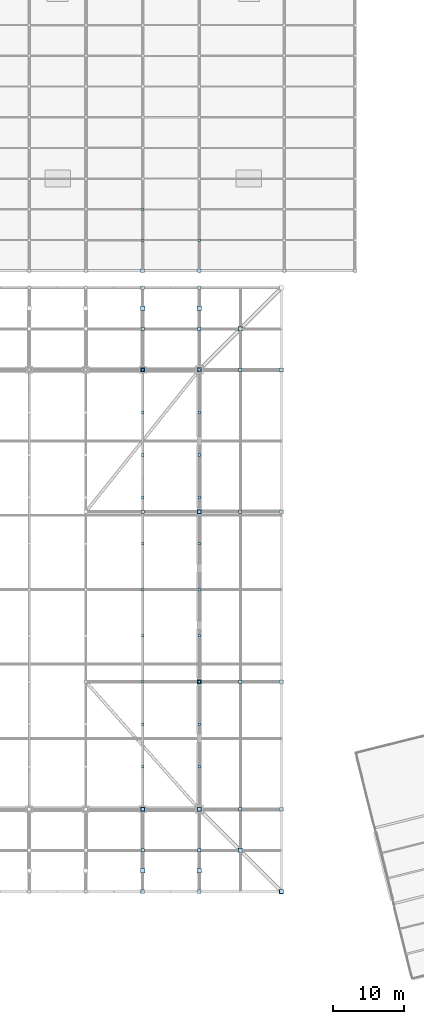
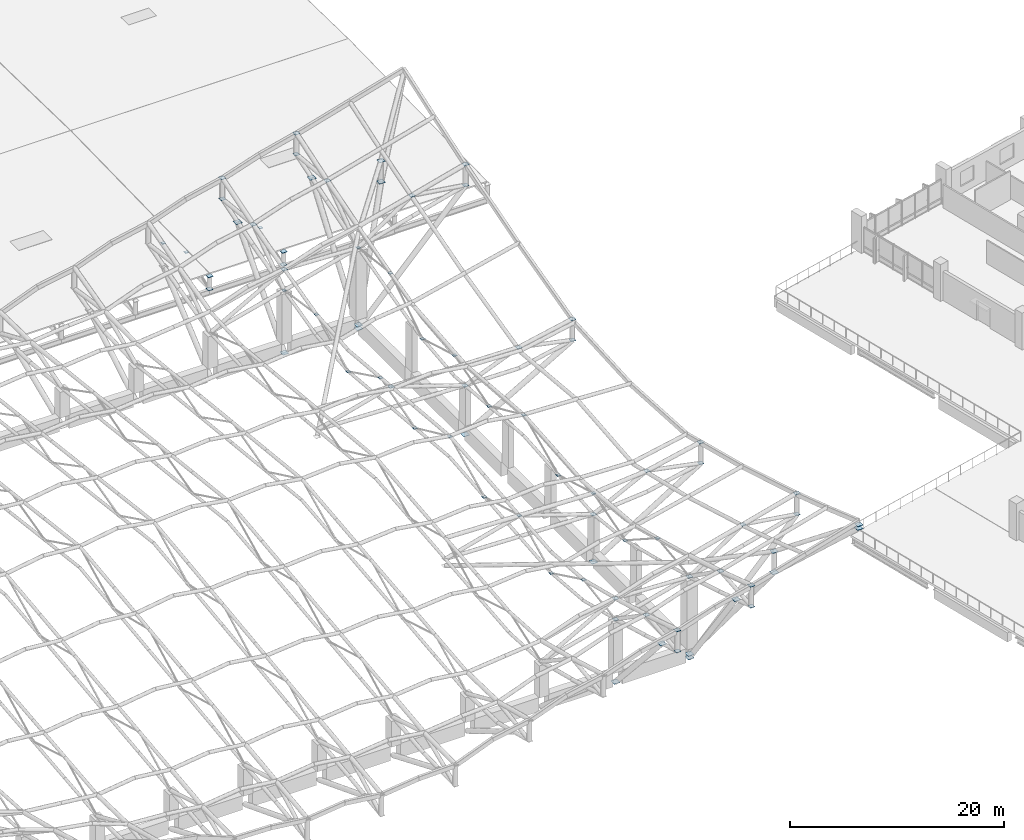
# One storey, part 63 of 75: 76 plates.
"""IFC4 building model written with IfcOpenShell, lengths in metres."""

import ifcopenshell
import ifcopenshell.guid

model = None  # the IFC model being written
_history = None  # IfcOwnerHistory: only IFC2X3 demands one
_inside = {}  # id of a spatial element -> (the spatial element, [elements in it])
_under = {}  # id of a project, library or spatial element -> (it, [spatial elements below it])
_declared = {}  # id of a project -> (the project, [libraries it declares])
_typed = {}  # id of a type object -> (the type object, [elements of that type])
_made_of = {}  # id of a material, layer set ... -> (it, [elements and type objects made of it])


def new_model(schema):
    """Start an empty IFC model of exactly this schema.

    Asked for "IFC4X3", IfcOpenShell would pick the latest addendum, in which some entities
    have other attributes; the version numbers below select the first issue.
    IFC2X3 requires an IfcOwnerHistory on every rooted entity: one is made here for all.
    """
    global model, _history
    if schema == "IFC4X3":
        model = ifcopenshell.file(schema_version=(4, 3, 0, 0))
    else:
        model = ifcopenshell.file(schema=schema)
    _inside.clear()
    _under.clear()
    _declared.clear()
    _typed.clear()
    _made_of.clear()
    _history = None
    if model.schema == "IFC2X3":
        org = make("IfcOrganization", Name="unknown")
        user = make(
            "IfcPersonAndOrganization",
            ThePerson=make("IfcPerson", FamilyName="unknown"),
            TheOrganization=org,
        )
        app = make(
            "IfcApplication",
            ApplicationDeveloper=org,
            Version="unknown",
            ApplicationFullName="unknown",
            ApplicationIdentifier="unknown",
        )
        _history = make(
            "IfcOwnerHistory",
            OwningUser=user,
            OwningApplication=app,
            ChangeAction="ADDED",
            CreationDate=0,
        )
    return model


def make(cls, **values):
    """One entity of the class cls with the attributes given. An attribute that is None is left unset."""
    return model.create_entity(
        cls, **{name: value for name, value in values.items() if value is not None}
    )


def rooted(cls, **values):
    """An entity with a GlobalId (a new one), such as an element, a storey or a relation."""
    return make(cls, GlobalId=ifcopenshell.guid.new(), OwnerHistory=_history, **values)


def si_unit(unit_type, name, prefix=None):
    """IfcSIUnit, for example si_unit("LENGTHUNIT", "METRE", prefix="MILLI")."""
    return make("IfcSIUnit", UnitType=unit_type, Prefix=prefix, Name=name)


def assignment(units):
    """IfcUnitAssignment: the units of a project."""
    return None if units is None else make("IfcUnitAssignment", Units=units)


def point(xyz):
    """IfcCartesianPoint."""
    return None if xyz is None else make("IfcCartesianPoint", Coordinates=xyz)


def direction(xyz):
    """IfcDirection."""
    return None if xyz is None else make("IfcDirection", DirectionRatios=xyz)


def frame(location, z_axis=None, x_axis=None):
    """IfcAxis2Placement3D, a coordinate frame: its origin and axes. An axis left out is left unset."""
    return make(
        "IfcAxis2Placement3D",
        Location=point(location),
        Axis=direction(z_axis),
        RefDirection=direction(x_axis),
    )


def frame_2d(location, x_axis=None):
    """IfcAxis2Placement2D, a coordinate frame in the plane: its origin and x axis."""
    return make(
        "IfcAxis2Placement2D", Location=point(location), RefDirection=direction(x_axis)
    )


def origin():
    """The frame at (0, 0, 0) with its axes left unset."""
    return frame((0.0, 0.0, 0.0))


def origin_2d():
    """The frame at (0, 0) in the plane with its x axis left unset."""
    return frame_2d((0.0, 0.0))


def place(relative_to, where):
    """IfcLocalPlacement: puts the frame where relative to a parent placement (None: the world)."""
    return make(
        "IfcLocalPlacement", PlacementRelTo=relative_to, RelativePlacement=where
    )


def context(
    kind, dimensions, precision=None, world=None, true_north=None, identifier=None
):
    """IfcGeometricRepresentationContext, for example the 3D "Model" context."""
    return make(
        "IfcGeometricRepresentationContext",
        ContextIdentifier=identifier,
        ContextType=kind,
        CoordinateSpaceDimension=dimensions,
        Precision=precision,
        WorldCoordinateSystem=world,
        TrueNorth=true_north,
    )


def subcontext(parent, identifier, kind, view, scale=None):
    """IfcGeometricRepresentationSubContext, for example "Body" below "Model"."""
    return make(
        "IfcGeometricRepresentationSubContext",
        ContextIdentifier=identifier,
        ContextType=kind,
        ParentContext=parent,
        TargetScale=scale,
        TargetView=view,
    )


def project(units=None, contexts=None):
    """IfcProject with its units and contexts."""
    return rooted(
        "IfcProject",
        Name="project",
        RepresentationContexts=contexts,
        UnitsInContext=assignment(units),
    )


def spatial(cls, under=None, at=None, **own):
    """A site, building, storey or space (cls), placed at a placement, below another one or the project."""
    s = rooted(cls, ObjectPlacement=at, **own)
    if under is not None:
        _under.setdefault(under.id(), (under, []))[1].append(s)
    return s


def profile(cls, at=None, kind="AREA", **sizes):
    """A parametric profile (cls). Its sizes go by their IFC names, for example OverallWidth=200.0."""
    return make(cls, ProfileType=kind, Position=at, **sizes)


def rectangle(**sizes):
    """IfcRectangleProfileDef."""
    return profile("IfcRectangleProfileDef", **sizes)


def extrude(swept, where, along, depth):
    """IfcExtrudedAreaSolid: the profile swept, set in the frame where, extruded along a direction by depth."""
    return make(
        "IfcExtrudedAreaSolid",
        SweptArea=swept,
        Position=where,
        ExtrudedDirection=direction(along),
        Depth=depth,
    )


def shape(context_of_items, identifier, shape_type, items):
    """IfcShapeRepresentation: the items that make up one representation, for example the "Body"."""
    return make(
        "IfcShapeRepresentation",
        ContextOfItems=context_of_items,
        RepresentationIdentifier=identifier,
        RepresentationType=shape_type,
        Items=items,
    )


def material(Name=None, Category=None):
    """IfcMaterial."""
    return make("IfcMaterial", Name=Name, Category=Category)


def layer(
    of_material, thickness, ventilated=None, Name=None, Category=None, Priority=None
):
    """IfcMaterialLayer: one layer of a wall or slab, of a material (None: an air gap)."""
    return make(
        "IfcMaterialLayer",
        Material=of_material,
        LayerThickness=thickness,
        IsVentilated=ventilated,
        Name=Name,
        Category=Category,
        Priority=Priority,
    )


def layer_set(layers, Name=None):
    """IfcMaterialLayerSet."""
    return make("IfcMaterialLayerSet", MaterialLayers=layers, LayerSetName=Name)


def made_of(thing, what):
    """Note that an element or type object is made of a material, layer set ...; save() writes the relation."""
    if what is not None:
        _made_of.setdefault(what.id(), (what, []))[1].append(thing)
    return thing


def type_object(cls, material=None, **own):
    """A type object (cls), such as IfcWallType, which elements share."""
    return made_of(rooted(cls, **own), material)


def element(
    cls,
    number,
    at=None,
    inside=None,
    cuts=None,
    type_object=None,
    material=None,
    context=None,
    identifier="Body",
    shape_type=None,
    held_by="IfcProductDefinitionShape",
    body=None,
    shapes=None,
    **own,
):
    """One element of the class cls, such as IfcWall. Its Tag is "e" and its number.

    at: its placement. inside: the storey or other place that contains it. cuts: it is an
    opening in that element (IfcRelVoidsElement). A single representation is given by context,
    identifier, shape_type and body (its items); several are given by shapes. held_by: the class
    of the entity that holds the representations. save() writes the other relations.
    """
    e = rooted(cls, Tag="e%d" % number, ObjectPlacement=at, **own)
    if body is not None:
        shapes = [shape(context, identifier, shape_type, body)]
    if shapes is not None:
        e.Representation = make(held_by, Representations=shapes)
    if inside is not None:
        _inside.setdefault(inside.id(), (inside, []))[1].append(e)
    if cuts is not None:
        rooted(
            "IfcRelVoidsElement", RelatingBuildingElement=cuts, RelatedOpeningElement=e
        )
    if type_object is not None:
        _typed.setdefault(type_object.id(), (type_object, []))[1].append(e)
    return made_of(e, material)


def aggregate(whole, parts):
    """IfcRelAggregates: a whole, such as a stair, and the parts it consists of."""
    return rooted("IfcRelAggregates", RelatingObject=whole, RelatedObjects=parts)


def save(model, path):
    """Write the relations noted so far, then the file.

    IfcRelAggregates (storeys below a building ...), IfcRelContainedInSpatialStructure (elements
    in a storey), IfcRelDefinesByType, IfcRelAssociatesMaterial and IfcRelDeclares: one each for
    every whole, place, type object, material and project.
    """
    for whole, parts in _under.values():
        aggregate(whole, parts)
    for where, things in _inside.values():
        rooted(
            "IfcRelContainedInSpatialStructure",
            RelatedElements=things,
            RelatingStructure=where,
        )
    for kind, things in _typed.values():
        rooted("IfcRelDefinesByType", RelatedObjects=things, RelatingType=kind)
    for what, things in _made_of.values():
        rooted("IfcRelAssociatesMaterial", RelatedObjects=things, RelatingMaterial=what)
    for by, libraries in _declared.values():
        rooted("IfcRelDeclares", RelatingContext=by, RelatedDefinitions=libraries)
    model.write(path)


model = new_model("IFC4")

# Units and contexts
model_context = context("Model", 3, precision=1e-05, world=origin(), true_north=direction((0.0, 1.0)))
body_context = subcontext(model_context, "Body", "Model", "MODEL_VIEW")
ifc_project = project(units=[si_unit("LENGTHUNIT", "METRE"), si_unit("AREAUNIT", "SQUARE_METRE"), si_unit("VOLUMEUNIT", "CUBIC_METRE"), si_unit("PLANEANGLEUNIT", "RADIAN"), si_unit("MASSUNIT", "GRAM", prefix="KILO")], contexts=[model_context])

# Site, building, storey
site_placement = place(None, origin())
site = spatial("IfcSite", under=ifc_project, at=site_placement, CompositionType="ELEMENT")
building_placement = place(site_placement, origin())
building = spatial("IfcBuilding", under=site, at=building_placement, Name="Khorjan Park Terminus", CompositionType="ELEMENT")
storey_placement = place(building_placement, frame((0.0, 0.0, 16.2)))
storey = spatial("IfcBuildingStorey", under=building, at=storey_placement, Name="L03", CompositionType="ELEMENT", Elevation=16.2)

# Plates
ifc_material = material(Name="Steel S355", Category="steel")
ifc_layer_1 = layer(ifc_material, 0.022)
ifc_layer_set_1 = layer_set([ifc_layer_1], Name="Steel S355")
plate_type_1 = type_object("IfcPlateType", Name="PT-GUS-22", PredefinedType="SHEET", material=ifc_layer_set_1)
for number, where, z_axis, x_axis, name in (
    (1, (128.0, 106.3333, -1.0193), (0.0, 0.0, 1.0), (1.0, 0.0, 0.0), "Steel truss node cap plate NP-22 (RC2-GUS-END-0166)"),
    (2, (128.0, 110.6667, -2.611), (0.0, 0.0, 1.0), (1.0, 0.0, 0.0), "Steel truss node cap plate NP-22 (RC2-GUS-END-0167)"),
    (3, (136.0, 106.3333, -1.0193), (0.0, 0.0, 1.0), (1.0, 0.0, 0.0), "Steel truss node cap plate NP-22 (RC2-GUS-END-0177)"),
    (4, (128.0, 32.0, 6.6279), (0.0, 0.0, 1.0), (1.0, 0.0, 0.0), "Steel truss node cap plate NP-22 (RC2-GUS-END-0403)"),
    (5, (128.0, 38.0, 3.7295), (0.0, 0.0, 1.0), (1.0, 0.0, 0.0), "Steel truss node cap plate NP-22 (RC2-GUS-END-0404)"),
    (6, (128.0, 44.0, 6.6686), (0.0, 0.0, 1.0), (1.0, 0.0, 0.0), "Steel truss node cap plate NP-22 (RC2-GUS-END-0405)"),
    (7, (128.0, 50.5, 4.8526), (0.0, 0.0, 1.0), (1.0, 0.0, 0.0), "Steel truss node cap plate NP-22 (RC2-GUS-END-0406)"),
    (8, (128.0, 57.0, 7.8366), (0.0, 0.0, 1.0), (1.0, 0.0, 0.0), "Steel truss node cap plate NP-22 (RC2-GUS-END-0407)"),
    (9, (128.0, 63.5, 4.8526), (0.0, 0.0, 1.0), (1.0, 0.0, 0.0), "Steel truss node cap plate NP-22 (RC2-GUS-END-0408)"),
    (10, (128.0, 70.0, 6.6686), (0.0, 0.0, 1.0), (1.0, 0.0, 0.0), "Steel truss node cap plate NP-22 (RC2-GUS-END-0409)"),
    (11, (128.0, 76.0, 3.7295), (0.0, 0.0, 1.0), (1.0, 0.0, 0.0), "Steel truss node cap plate NP-22 (RC2-GUS-END-0410)"),
    (12, (128.0, 82.0, 6.6279), (0.0, 0.0, 1.0), (1.0, 0.0, 0.0), "Steel truss node cap plate NP-22 (RC2-GUS-END-0411)"),
    (13, (128.0, 88.0, 5.73), (0.0, 0.0, 1.0), (1.0, 0.0, 0.0), "Steel truss node cap plate NP-22 (RC2-GUS-END-0412)"),
    (14, (136.0, 32.0, 8.5601), (0.0, 0.0, 1.0), (1.0, 0.0, 0.0), "Steel truss node cap plate NP-22 (RC2-GUS-END-0422)"),
    (15, (136.0, 38.0, 4.6723), (0.0, 0.0, 1.0), (1.0, 0.0, 0.0), "Steel truss node cap plate NP-22 (RC2-GUS-END-0423)"),
    (16, (136.0, 44.0, 6.4258), (0.0, 0.0, 1.0), (1.0, 0.0, 0.0), "Steel truss node cap plate NP-22 (RC2-GUS-END-0424)"),
    (17, (136.0, 50.5, 4.5565), (0.0, 0.0, 1.0), (1.0, 0.0, 0.0), "Steel truss node cap plate NP-22 (RC2-GUS-END-0425)"),
    (18, (136.0, 57.0, 7.4872), (0.0, 0.0, 1.0), (1.0, 0.0, 0.0), "Steel truss node cap plate NP-22 (RC2-GUS-END-0426)"),
    (19, (136.0, 63.5, 4.5565), (0.0, 0.0, 1.0), (1.0, 0.0, 0.0), "Steel truss node cap plate NP-22 (RC2-GUS-END-0427)"),
    (20, (136.0, 70.0, 6.4258), (0.0, 0.0, 1.0), (1.0, 0.0, 0.0), "Steel truss node cap plate NP-22 (RC2-GUS-END-0428)"),
    (21, (136.0, 76.0, 4.6723), (0.0, 0.0, 1.0), (1.0, 0.0, 0.0), "Steel truss node cap plate NP-22 (RC2-GUS-END-0429)"),
    (22, (136.0, 82.0, 8.5601), (0.0, 0.0, 1.0), (1.0, 0.0, 0.0), "Steel truss node cap plate NP-22 (RC2-GUS-END-0430)"),
    (23, (136.0, 88.0, 7.8086), (0.0, 0.0, 1.0), (1.0, 0.0, 0.0), "Steel truss node cap plate NP-22 (RC2-GUS-END-0431)"),
):
    element("IfcPlate", number, at=place(storey_placement, frame(where, z_axis=z_axis, x_axis=x_axis)), inside=storey, type_object=plate_type_1, Name=name, PredefinedType="SHEET", context=body_context, shape_type="SweptSolid", body=[
        extrude(rectangle(XDim=0.36, YDim=0.36, at=origin_2d()), origin(), (0.0, 0.0, 1.0), 0.022),
    ])
for number, where, z_axis, x_axis, name in (
    (24, (128.0, 26.0, 8.13), (0.0, 0.0, 1.0), (1.0, 0.0, 0.0), "Steel truss node cap plate NP-22 (RC2-GUS-END-0441)"),
    (25, (136.0, 44.0, 4.0258), (0.0, 0.0, 1.0), (1.0, 0.0, 0.0), "Steel truss node cap plate NP-22 (RC2-GUS-END-0450)"),
    (26, (128.0, 68.0, 6.8483), (0.0, 0.0, 1.0), (1.0, 0.0, 0.0), "Steel truss node cap plate NP-22 (RC2-GUS-END-0461)"),
    (27, (136.0, 68.0, 4.1891), (0.0, 0.0, 1.0), (1.0, 0.0, 0.0), "Steel truss node cap plate NP-22 (RC2-GUS-END-0462)"),
    (28, (128.0, 88.0, 8.13), (0.0, 0.0, 1.0), (1.0, 0.0, 0.0), "Steel truss node cap plate NP-22 (RC2-GUS-END-0469)"),
):
    element("IfcPlate", number, at=place(storey_placement, frame(where, z_axis=z_axis, x_axis=x_axis)), inside=storey, type_object=plate_type_1, Name=name, PredefinedType="SHEET", context=body_context, shape_type="SweptSolid", body=[
        extrude(rectangle(XDim=0.49, YDim=0.49, at=origin_2d()), origin(), (0.0, 0.0, 1.0), 0.022),
    ])
ifc_layer_2 = layer(ifc_material, 0.025)
ifc_layer_set_2 = layer_set([ifc_layer_2], Name="Steel S355")
plate_type_2 = type_object("IfcPlateType", Name="PT-GUSE-25", PredefinedType="SHEET", material=ifc_layer_set_2)
for number, where, z_axis, x_axis, name in (
    (29, (128.0, 102.0, -2.6125), (0.0, 0.0, 1.0), (1.0, 0.0, 0.0), "Steel truss node cap plate NPE-25 (RC2-NP-V1-T16-SB)"),
    (30, (136.0, 102.0, -2.6125), (0.0, 0.0, 1.0), (1.0, 0.0, 0.0), "Steel truss node cap plate NPE-25 (RC2-NP-V1-T17-SB)"),
):
    element("IfcPlate", number, at=place(storey_placement, frame(where, z_axis=z_axis, x_axis=x_axis)), inside=storey, type_object=plate_type_2, Name=name, PredefinedType="SHEET", context=body_context, shape_type="SweptSolid", body=[
        extrude(rectangle(XDim=0.52, YDim=0.52, at=origin_2d()), origin(), (0.0, 0.0, 1.0), 0.025),
    ])
for number, where, z_axis, x_axis, name in (
    (31, (128.0, 14.4, 9.1338), (0.0, 0.0, 1.0), (1.0, 0.0, 0.0), "Steel truss node cap plate NPE-25 (RC2-GUS-END-0400)"),
    (32, (128.0, 20.2, 9.7486), (0.0, 0.0, 1.0), (1.0, 0.0, 0.0), "Steel truss node cap plate NPE-25 (RC2-GUS-END-0401)"),
    (33, (128.0, 26.0, 5.7285), (0.0, 0.0, 1.0), (1.0, 0.0, 0.0), "Steel truss node cap plate NPE-25 (RC2-GUS-END-0402)"),
    (34, (128.0, 93.8, 9.7486), (0.0, 0.0, 1.0), (1.0, 0.0, 0.0), "Steel truss node cap plate NPE-25 (RC2-GUS-END-0413)"),
    (35, (128.0, 99.6, 9.1338), (0.0, 0.0, 1.0), (1.0, 0.0, 0.0), "Steel truss node cap plate NPE-25 (RC2-GUS-END-0414)"),
):
    element("IfcPlate", number, at=place(storey_placement, frame(where, z_axis=z_axis, x_axis=x_axis)), inside=storey, type_object=plate_type_2, Name=name, PredefinedType="SHEET", context=body_context, shape_type="SweptSolid", body=[
        extrude(rectangle(XDim=0.49, YDim=0.49, at=origin_2d()), origin(), (0.0, 0.0, 1.0), 0.025),
    ])
for number, where, z_axis, x_axis, name in (
    (36, (128.0, 26.0, -1.4125), (0.0, 0.0, 1.0), (1.0, 0.0, 0.0), "Steel truss node cap plate NPE-25 (RC2-GUS-END-0415)"),
    (37, (128.0, 17.3, 8.2412), (0.0, 0.0, 1.0), (1.0, 0.0, 0.0), "Steel truss node cap plate NPE-25 (RC2-GUS-END-0416)"),
    (38, (128.0, 88.0, -1.4125), (0.0, 0.0, 1.0), (1.0, 0.0, 0.0), "Steel truss node cap plate NPE-25 (RC2-GUS-END-0417)"),
    (39, (128.0, 96.7, 8.2412), (0.0, 0.0, 1.0), (1.0, 0.0, 0.0), "Steel truss node cap plate NPE-25 (RC2-GUS-END-0418)"),
):
    element("IfcPlate", number, at=place(storey_placement, frame(where, z_axis=z_axis, x_axis=x_axis)), inside=storey, type_object=plate_type_2, Name=name, PredefinedType="SHEET", context=body_context, shape_type="SweptSolid", body=[
        extrude(rectangle(XDim=0.64, YDim=0.64, at=origin_2d()), origin(), (0.0, 0.0, 1.0), 0.025),
    ])
for number, where, z_axis, x_axis, name in (
    (40, (136.0, 14.4, 11.4496), (0.0, 0.0, 1.0), (1.0, 0.0, 0.0), "Steel truss node cap plate NPE-25 (RC2-GUS-END-0419)"),
    (41, (136.0, 20.2, 11.9533), (0.0, 0.0, 1.0), (1.0, 0.0, 0.0), "Steel truss node cap plate NPE-25 (RC2-GUS-END-0420)"),
    (42, (136.0, 26.0, 7.8071), (0.0, 0.0, 1.0), (1.0, 0.0, 0.0), "Steel truss node cap plate NPE-25 (RC2-GUS-END-0421)"),
    (43, (136.0, 93.8, 11.9533), (0.0, 0.0, 1.0), (1.0, 0.0, 0.0), "Steel truss node cap plate NPE-25 (RC2-GUS-END-0432)"),
    (44, (136.0, 99.6, 11.4496), (0.0, 0.0, 1.0), (1.0, 0.0, 0.0), "Steel truss node cap plate NPE-25 (RC2-GUS-END-0433)"),
):
    element("IfcPlate", number, at=place(storey_placement, frame(where, z_axis=z_axis, x_axis=x_axis)), inside=storey, type_object=plate_type_2, Name=name, PredefinedType="SHEET", context=body_context, shape_type="SweptSolid", body=[
        extrude(rectangle(XDim=0.49, YDim=0.49, at=origin_2d()), origin(), (0.0, 0.0, 1.0), 0.025),
    ])
for number, where, z_axis, x_axis, name in (
    (45, (136.0, 26.0, -1.4125), (0.0, 0.0, 1.0), (1.0, 0.0, 0.0), "Steel truss node cap plate NPE-25 (RC2-GUS-END-0434)"),
    (46, (136.0, 17.3, 10.5014), (0.0, 0.0, 1.0), (1.0, 0.0, 0.0), "Steel truss node cap plate NPE-25 (RC2-GUS-END-0435)"),
    (47, (136.0, 88.0, -1.4125), (0.0, 0.0, 1.0), (1.0, 0.0, 0.0), "Steel truss node cap plate NPE-25 (RC2-GUS-END-0436)"),
    (48, (136.0, 96.7, 10.5014), (0.0, 0.0, 1.0), (1.0, 0.0, 0.0), "Steel truss node cap plate NPE-25 (RC2-GUS-END-0437)"),
):
    element("IfcPlate", number, at=place(storey_placement, frame(where, z_axis=z_axis, x_axis=x_axis)), inside=storey, type_object=plate_type_2, Name=name, PredefinedType="SHEET", context=body_context, shape_type="SweptSolid", body=[
        extrude(rectangle(XDim=0.64, YDim=0.64, at=origin_2d()), origin(), (0.0, 0.0, 1.0), 0.025),
    ])
for number, where, z_axis, x_axis, name in (
    (49, (141.8, 26.0, 11.735), (0.0, 0.0, 1.0), (1.0, 0.0, 0.0), "Steel truss node cap plate NPE-25 (RC2-GUS-END-0442)"),
    (50, (147.6, 26.0, 10.8804), (0.0, 0.0, 1.0), (1.0, 0.0, 0.0), "Steel truss node cap plate NPE-25 (RC2-GUS-END-0443)"),
    (51, (141.8, 44.0, 6.9504), (0.0, 0.0, 1.0), (1.0, 0.0, 0.0), "Steel truss node cap plate NPE-25 (RC2-GUS-END-0451)"),
    (52, (147.6, 44.0, 5.802), (0.0, 0.0, 1.0), (1.0, 0.0, 0.0), "Steel truss node cap plate NPE-25 (RC2-GUS-END-0452)"),
):
    element("IfcPlate", number, at=place(storey_placement, frame(where, z_axis=z_axis, x_axis=x_axis)), inside=storey, type_object=plate_type_2, Name=name, PredefinedType="SHEET", context=body_context, shape_type="SweptSolid", body=[
        extrude(rectangle(XDim=0.49, YDim=0.49, at=origin_2d()), origin(), (0.0, 0.0, 1.0), 0.025),
    ])
plate_1_placement = place(storey_placement, frame((136.0, 44.0, -1.4125), z_axis=(0.0, 0.0, 1.0), x_axis=(1.0, 0.0, 0.0)))
element("IfcPlate", 53, at=plate_1_placement, inside=storey, type_object=plate_type_2, Name="Steel truss node cap plate NPE-25 (RC2-GUS-END-0453)", PredefinedType="SHEET", context=body_context, shape_type="SweptSolid", body=[
    extrude(rectangle(XDim=0.64, YDim=0.64, at=origin_2d()), origin(), (0.0, 0.0, 1.0), 0.025),
])
for number, where, z_axis, x_axis, name in (
    (54, (141.8, 68.0, 6.5015), (0.0, 0.0, 1.0), (1.0, 0.0, 0.0), "Steel truss node cap plate NPE-25 (RC2-GUS-END-0463)"),
    (55, (147.6, 68.0, 5.3139), (0.0, 0.0, 1.0), (1.0, 0.0, 0.0), "Steel truss node cap plate NPE-25 (RC2-GUS-END-0464)"),
):
    element("IfcPlate", number, at=place(storey_placement, frame(where, z_axis=z_axis, x_axis=x_axis)), inside=storey, type_object=plate_type_2, Name=name, PredefinedType="SHEET", context=body_context, shape_type="SweptSolid", body=[
        extrude(rectangle(XDim=0.49, YDim=0.49, at=origin_2d()), origin(), (0.0, 0.0, 1.0), 0.025),
    ])
plate_2_placement = place(storey_placement, frame((136.0, 68.0, -1.4125), z_axis=(0.0, 0.0, 1.0), x_axis=(1.0, 0.0, 0.0)))
element("IfcPlate", 56, at=plate_2_placement, inside=storey, type_object=plate_type_2, Name="Steel truss node cap plate NPE-25 (RC2-GUS-END-0465)", PredefinedType="SHEET", context=body_context, shape_type="SweptSolid", body=[
    extrude(rectangle(XDim=0.64, YDim=0.64, at=origin_2d()), origin(), (0.0, 0.0, 1.0), 0.025),
])
for number, where, z_axis, x_axis, name in (
    (57, (141.8, 88.0, 11.735), (0.0, 0.0, 1.0), (1.0, 0.0, 0.0), "Steel truss node cap plate NPE-25 (RC2-GUS-END-0470)"),
    (58, (147.6, 88.0, 10.8804), (0.0, 0.0, 1.0), (1.0, 0.0, 0.0), "Steel truss node cap plate NPE-25 (RC2-GUS-END-0471)"),
):
    element("IfcPlate", number, at=place(storey_placement, frame(where, z_axis=z_axis, x_axis=x_axis)), inside=storey, type_object=plate_type_2, Name=name, PredefinedType="SHEET", context=body_context, shape_type="SweptSolid", body=[
        extrude(rectangle(XDim=0.49, YDim=0.49, at=origin_2d()), origin(), (0.0, 0.0, 1.0), 0.025),
    ])
for number, where, z_axis, x_axis, name in (
    (59, (136.0, 26.0, -1.0125), (0.0, 0.0, 1.0), (1.0, 0.0, 0.0), "Steel truss node cap plate NPE-25 (RC2-GUS-END-0476)"),
    (60, (141.8, 20.2, 9.7922), (0.0, 0.0, 1.0), (1.0, 0.0, 0.0), "Steel truss node cap plate NPE-25 (RC2-GUS-END-0477)"),
    (61, (147.6, 14.4, 16.3375), (0.0, 0.0, 1.0), (1.0, 0.0, 0.0), "Steel truss node cap plate NPE-25 (RC2-GUS-END-0478)"),
):
    element("IfcPlate", number, at=place(storey_placement, frame(where, z_axis=z_axis, x_axis=x_axis)), inside=storey, type_object=plate_type_2, Name=name, PredefinedType="SHEET", context=body_context, shape_type="SweptSolid", body=[
        extrude(rectangle(XDim=0.64, YDim=0.64, at=origin_2d()), origin(), (0.0, 0.0, 1.0), 0.025),
    ])
plate_3_placement = place(storey_placement, frame((141.8, 20.2, 12.1922), z_axis=(0.0, 0.0, 1.0), x_axis=(1.0, 0.0, 0.0)))
element("IfcPlate", 62, at=plate_3_placement, inside=storey, type_object=plate_type_2, Name="Steel truss node cap plate NPE-25 (RC2-GUS-END-0479)", PredefinedType="SHEET", context=body_context, shape_type="SweptSolid", body=[
    extrude(rectangle(XDim=0.59, YDim=0.59, at=origin_2d()), origin(), (0.0, 0.0, 1.0), 0.025),
])
for number, where, z_axis, x_axis, name in (
    (63, (136.0, 88.0, -1.0125), (0.0, 0.0, 1.0), (1.0, 0.0, 0.0), "Steel truss node cap plate NPE-25 (RC2-GUS-END-0484)"),
    (64, (141.8, 93.8, 9.7922), (0.0, 0.0, 1.0), (1.0, 0.0, 0.0), "Steel truss node cap plate NPE-25 (RC2-GUS-END-0485)"),
):
    element("IfcPlate", number, at=place(storey_placement, frame(where, z_axis=z_axis, x_axis=x_axis)), inside=storey, type_object=plate_type_2, Name=name, PredefinedType="SHEET", context=body_context, shape_type="SweptSolid", body=[
        extrude(rectangle(XDim=0.64, YDim=0.64, at=origin_2d()), origin(), (0.0, 0.0, 1.0), 0.025),
    ])
plate_4_placement = place(storey_placement, frame((141.8, 93.8, 12.1922), z_axis=(0.0, 0.0, 1.0), x_axis=(1.0, 0.0, 0.0)))
element("IfcPlate", 65, at=plate_4_placement, inside=storey, type_object=plate_type_2, Name="Steel truss node cap plate NPE-25 (RC2-GUS-END-0487)", PredefinedType="SHEET", context=body_context, shape_type="SweptSolid", body=[
    extrude(rectangle(XDim=0.59, YDim=0.59, at=origin_2d()), origin(), (0.0, 0.0, 1.0), 0.025),
])
ifc_layer_3 = layer(ifc_material, 0.03)
ifc_layer_set_3 = layer_set([ifc_layer_3], Name="Steel S355")
plate_type_3 = type_object("IfcPlateType", Name="PT-GUSE-30", PredefinedType="SHEET", material=ifc_layer_set_3)
for number, where, z_axis, x_axis, name in (
    (66, (128.0, 102.0, -1.115), (0.0, 0.0, 1.0), (1.0, 0.0, 0.0), "Steel truss node cap plate NPE-30 (RC2-NP-V1-T16-ST)"),
    (67, (136.0, 102.0, -1.115), (0.0, 0.0, 1.0), (1.0, 0.0, 0.0), "Steel truss node cap plate NPE-30 (RC2-NP-V1-T17-ST)"),
    (68, (128.0, 14.4, 11.5313), (0.0, 0.0, 1.0), (1.0, 0.0, 0.0), "Steel truss node cap plate NPE-30 (RC2-NP-UTR11-S)"),
    (69, (128.0, 99.6, 11.5313), (0.0, 0.0, 1.0), (1.0, 0.0, 0.0), "Steel truss node cap plate NPE-30 (RC2-NP-UTR11-N)"),
    (70, (136.0, 14.4, 13.8471), (0.0, 0.0, 1.0), (1.0, 0.0, 0.0), "Steel truss node cap plate NPE-30 (RC2-NP-UTR12-S)"),
    (71, (136.0, 99.6, 13.8471), (0.0, 0.0, 1.0), (1.0, 0.0, 0.0), "Steel truss node cap plate NPE-30 (RC2-NP-UTR12-N)"),
    (72, (147.6, 26.0, 13.2779), (0.0, 0.0, 1.0), (1.0, 0.0, 0.0), "Steel truss node cap plate NPE-30 (RC2-NP-ULN-E1-T)"),
    (73, (147.6, 44.0, 8.1995), (0.0, 0.0, 1.0), (1.0, 0.0, 0.0), "Steel truss node cap plate NPE-30 (RC2-NP-ULN-E2-T)"),
    (74, (147.6, 68.0, 7.7114), (0.0, 0.0, 1.0), (1.0, 0.0, 0.0), "Steel truss node cap plate NPE-30 (RC2-NP-ULN-E3-T)"),
    (75, (147.6, 88.0, 13.2779), (0.0, 0.0, 1.0), (1.0, 0.0, 0.0), "Steel truss node cap plate NPE-30 (RC2-NP-ULN-E4-T)"),
):
    element("IfcPlate", number, at=place(storey_placement, frame(where, z_axis=z_axis, x_axis=x_axis)), inside=storey, type_object=plate_type_3, Name=name, PredefinedType="SHEET", context=body_context, shape_type="SweptSolid", body=[
        extrude(rectangle(XDim=0.52, YDim=0.52, at=origin_2d()), origin(), (0.0, 0.0, 1.0), 0.03),
    ])
ifc_layer_4 = layer(ifc_material, 0.035)
ifc_layer_set_4 = layer_set([ifc_layer_4], Name="Steel S355")
plate_type_4 = type_object("IfcPlateType", Name="PT-GUSE-35", PredefinedType="SHEET", material=ifc_layer_set_4)
plate_5_placement = place(storey_placement, frame((147.6, 14.4, 16.7325), z_axis=(0.0, 0.0, 1.0), x_axis=(1.0, 0.0, 0.0)))
element("IfcPlate", 76, at=plate_5_placement, inside=storey, type_object=plate_type_4, Name="Steel truss node cap plate NPE-35 (RC2-NP-UCRN-SE)", PredefinedType="SHEET", context=body_context, shape_type="SweptSolid", body=[
    extrude(rectangle(XDim=0.6, YDim=0.6, at=origin_2d()), origin(), (0.0, 0.0, 1.0), 0.035),
])

save(model, "model.ifc")
